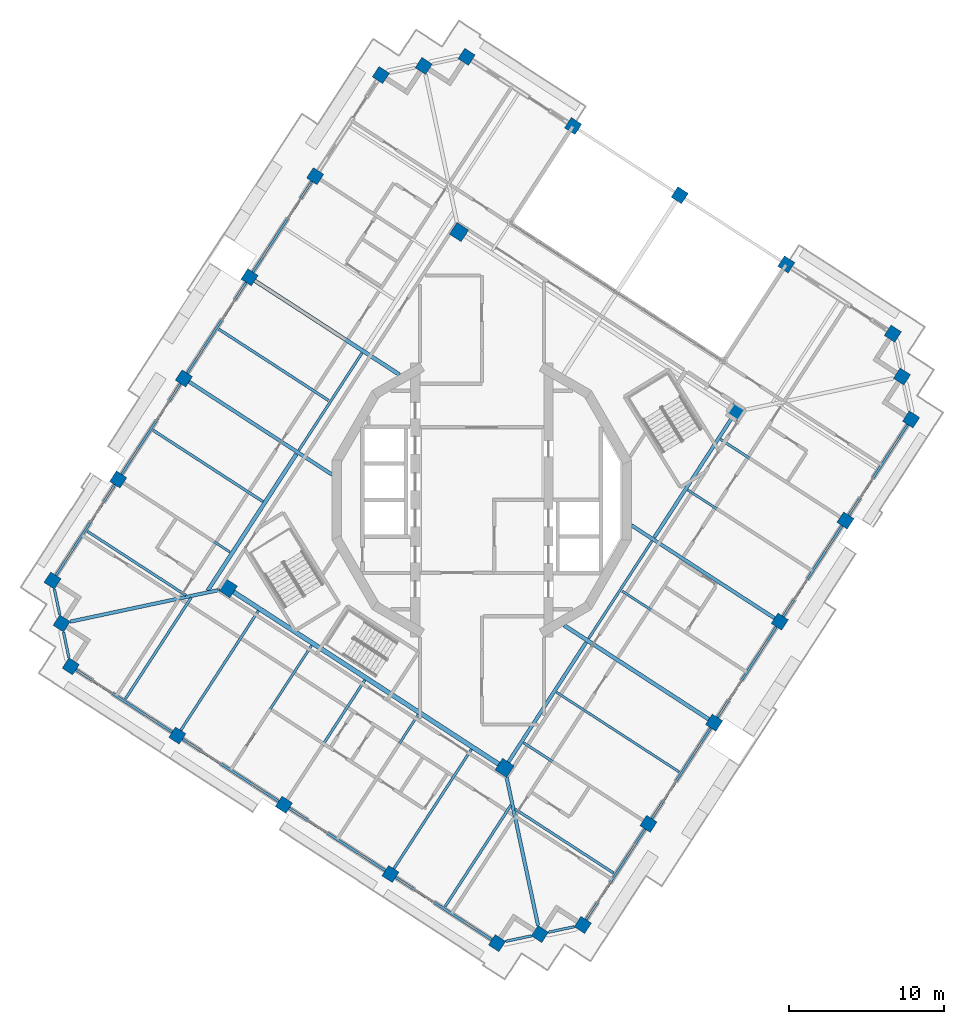
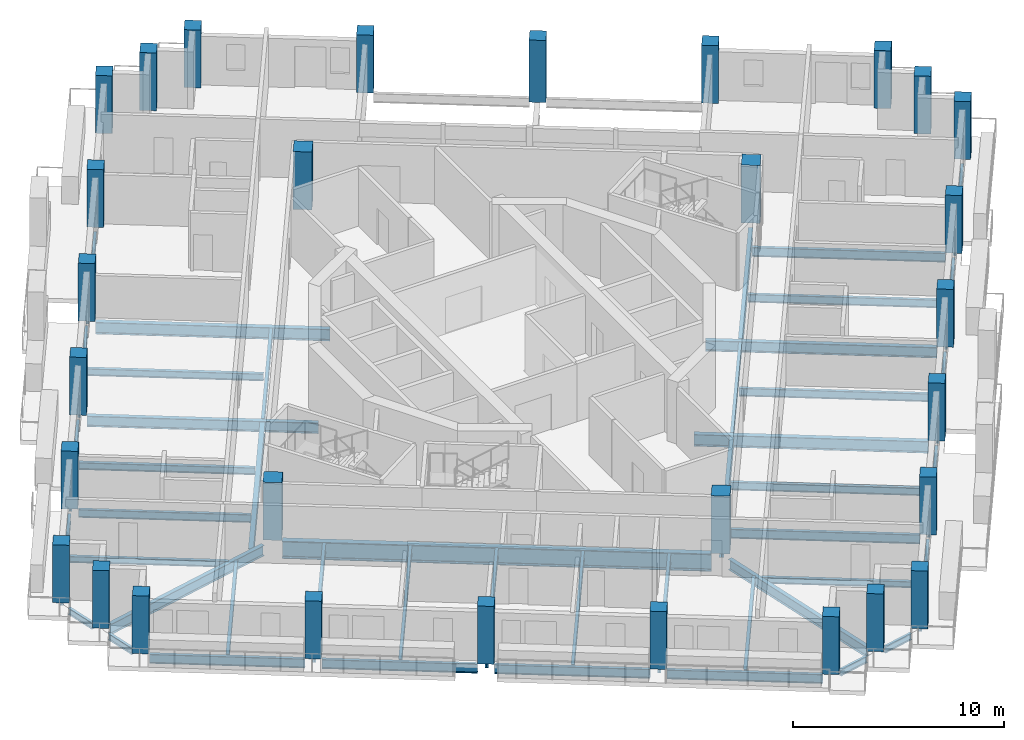
# One storey, part 1 of 17: 46 beams, 30 columns.
"""IFC4 building model written with IfcOpenShell, lengths in metres."""

from ifc_helpers import new_model, si_unit, direction, frame, origin, origin_2d, place, context, subcontext, project, spatial, rectangle, i_section, extrude, material, material_profile, profile_set, type_object, element, save


model = new_model("IFC4")

# Units and contexts
model_context = context("Model", 3, precision=1e-05, world=origin(), true_north=direction((0.0, 1.0)))
body_context = subcontext(model_context, "Body", "Model", "MODEL_VIEW")
ifc_project = project(units=[si_unit("LENGTHUNIT", "METRE"), si_unit("AREAUNIT", "SQUARE_METRE"), si_unit("VOLUMEUNIT", "CUBIC_METRE"), si_unit("PLANEANGLEUNIT", "RADIAN"), si_unit("MASSUNIT", "GRAM", prefix="KILO")], contexts=[model_context])

# Site, building, storey
site_placement = place(None, origin())
site = spatial("IfcSite", under=ifc_project, at=site_placement, CompositionType="ELEMENT")
building_placement = place(site_placement, origin())
building = spatial("IfcBuilding", under=site, at=building_placement, Name="Cantera Rosa Tower", CompositionType="ELEMENT")
storey_placement = place(building_placement, frame((0.0, 0.0, 279.300048828125)))
storey = spatial("IfcBuildingStorey", under=building, at=storey_placement, Name="L63", CompositionType="ELEMENT", Elevation=279.300048828125)

# Columns
ifc_material_1 = material(Name="Concrete C50/60", Category="concrete")
ifc_material_profile_1 = material_profile(ifc_material_1, rectangle(XDim=0.800048828125, YDim=0.800048828125, at=origin_2d()), Name="RC COLUMN RC800X800 C50/60")
ifc_profile_set_1 = profile_set([ifc_material_profile_1], Name="Concrete C50/60")
column_type_1 = type_object("IfcColumnType", Name="RC COLUMN RC800X800 C50/60", PredefinedType="COLUMN", material=ifc_profile_set_1)
for number, where, z_axis, x_axis, name in (
    (1, (26.52587890625, 10.73486328125, 0.0), (0.0, 0.0, 1.0), (0.544639035015, 0.838670567945, 0.0), "C-Z5-01 L63"),
    (2, (19.64892578125, 15.20068359375, 0.0), (0.0, 0.0, 1.0), (0.544639035015, 0.838670567945, 0.0), "C-Z5-02 L63"),
):
    element("IfcColumn", number, at=place(storey_placement, frame(where, z_axis=z_axis, x_axis=x_axis)), inside=storey, type_object=column_type_1, Name=name, PredefinedType="COLUMN", context=body_context, shape_type="SweptSolid", body=[
        extrude(rectangle(XDim=0.800048828125, YDim=0.800048828125, at=origin_2d()), origin(), (0.0, 0.0, 1.0), 3.349853515625),
    ])
column_placement = place(storey_placement, frame((12.771728515625, 19.666748046875, -0.25), z_axis=(0.0, 0.0, 1.0), x_axis=(0.544639035015, 0.838670567945, 0.0)))
element("IfcColumn", 3, at=column_placement, inside=storey, type_object=column_type_1, Name="C-Z5-03 L63", PredefinedType="COLUMN", context=body_context, shape_type="SweptSolid", body=[
    extrude(rectangle(XDim=0.800048828125, YDim=0.800048828125, at=origin_2d()), origin(), (0.0, 0.0, 1.0), 3.599853515625),
])
for number, where, z_axis, x_axis, name in (
    (4, (5.894775390625, 24.1328125, 0.0), (0.0, 0.0, 1.0), (0.544639035015, 0.838670567945, 0.0), "C-Z5-04 L63"),
    (5, (-0.982421875, 28.598876953125, 0.0), (0.0, 0.0, 1.0), (0.544639035015, 0.838670567945, 0.0), "C-Z5-05 L63"),
    (6, (-3.7490234375, 28.0107421875, 0.0), (0.0, 0.0, 1.0), (0.544639035015, 0.838670567945, 0.0), "C-Z5-06 L63"),
    (7, (-6.515625, 27.4228515625, 0.0), (0.0, 0.0, 1.0), (0.544639035015, 0.838670567945, 0.0), "C-Z5-07 L63"),
    (8, (-10.7529296875, 20.89794921875, 0.0), (0.0, 0.0, 1.0), (0.544639035015, 0.838670567945, 0.0), "C-Z5-08 L63"),
    (9, (-14.990234375, 14.373046875, 0.0), (0.0, 0.0, 1.0), (0.544639035015, 0.838670567945, 0.0), "C-Z5-09 L63"),
    (10, (-19.2275390625, 7.84814453125, 0.0), (0.0, 0.0, 1.0), (0.544639035015, 0.838670567945, 0.0), "C-Z5-10 L63"),
    (11, (-23.46484375, 1.3232421875, 0.0), (0.0, 0.0, 1.0), (0.544639035015, 0.838670567945, 0.0), "C-Z5-11 L63"),
    (12, (-27.7021484375, -5.201416015625, 0.0), (0.0, 0.0, 1.0), (0.544639035015, 0.838670567945, 0.0), "C-Z5-12 L63"),
    (13, (-27.114013671875, -7.968017578125, 0.0), (0.0, 0.0, 1.0), (0.544639035015, 0.838670567945, 0.0), "C-Z5-13 L63"),
    (14, (-26.52587890625, -10.73486328125, 0.0), (0.0, 0.0, 1.0), (0.544639035015, 0.838670567945, 0.0), "C-Z5-14 L63"),
    (15, (-19.64892578125, -15.20068359375, 0.0), (0.0, 0.0, 1.0), (0.544639035015, 0.838670567945, 0.0), "C-Z5-15 L63"),
    (16, (-12.771728515625, -19.666748046875, 0.0), (0.0, 0.0, 1.0), (0.544639035015, 0.838670567945, 0.0), "C-Z5-16 L63"),
    (17, (-5.894775390625, -24.1328125, 0.0), (0.0, 0.0, 1.0), (0.544639035015, 0.838670567945, 0.0), "C-Z5-17 L63"),
    (18, (0.982421875, -28.598876953125, 0.0), (0.0, 0.0, 1.0), (0.544639035015, 0.838670567945, 0.0), "C-Z5-18 L63"),
    (19, (3.7490234375, -28.0107421875, 0.0), (0.0, 0.0, 1.0), (0.544639035015, 0.838670567945, 0.0), "C-Z5-19 L63"),
    (20, (6.515625, -27.4228515625, 0.0), (0.0, 0.0, 1.0), (0.544639035015, 0.838670567945, 0.0), "C-Z5-20 L63"),
    (21, (10.7529296875, -20.89794921875, 0.0), (0.0, 0.0, 1.0), (0.544639035015, 0.838670567945, 0.0), "C-Z5-21 L63"),
    (22, (14.990234375, -14.373046875, 0.0), (0.0, 0.0, 1.0), (0.544639035015, 0.838670567945, 0.0), "C-Z5-22 L63"),
    (23, (19.2275390625, -7.84814453125, 0.0), (0.0, 0.0, 1.0), (0.544639035015, 0.838670567945, 0.0), "C-Z5-23 L63"),
    (24, (23.46484375, -1.3232421875, 0.0), (0.0, 0.0, 1.0), (0.544639035015, 0.838670567945, 0.0), "C-Z5-24 L63"),
    (25, (27.7021484375, 5.201416015625, 0.0), (0.0, 0.0, 1.0), (0.544639035015, 0.838670567945, 0.0), "C-Z5-25 L63"),
    (26, (27.114013671875, 7.968017578125, 0.0), (0.0, 0.0, 1.0), (0.544639035015, 0.838670567945, 0.0), "C-Z5-26 L63"),
):
    element("IfcColumn", number, at=place(storey_placement, frame(where, z_axis=z_axis, x_axis=x_axis)), inside=storey, type_object=column_type_1, Name=name, PredefinedType="COLUMN", context=body_context, shape_type="SweptSolid", body=[
        extrude(rectangle(XDim=0.800048828125, YDim=0.800048828125, at=origin_2d()), origin(), (0.0, 0.0, 1.0), 3.349853515625),
    ])
ifc_material_2 = material(Name="Concrete C50/60", Category="concrete")
ifc_material_profile_2 = material_profile(ifc_material_2, rectangle(XDim=0.89990234375, YDim=0.89990234375, at=origin_2d()), Name="RC RING COLUMN RC900X900 C50/60")
ifc_profile_set_2 = profile_set([ifc_material_profile_2], Name="Concrete C50/60")
column_type_2 = type_object("IfcColumnType", Name="RC RING COLUMN RC900X900 C50/60", PredefinedType="COLUMN", material=ifc_profile_set_2)
for number, where, z_axis, x_axis, name in (
    (27, (-1.47021484375, 17.290283203125, 0.0), (0.0, 0.0, 1.0), (0.544639035015, 0.838670567945, 0.0), "CI-Z5-1 L63"),
    (28, (-16.393310546875, -5.689453125, 0.0), (0.0, 0.0, 1.0), (0.544639035015, 0.838670567945, 0.0), "CI-Z5-2 L63"),
    (29, (1.47021484375, -17.290283203125, 0.0), (0.0, 0.0, 1.0), (0.544639035015, 0.838670567945, 0.0), "CI-Z5-3 L63"),
    (30, (16.393310546875, 5.689453125, 0.0), (0.0, 0.0, 1.0), (0.544639035015, 0.838670567945, 0.0), "CI-Z5-4 L63"),
):
    element("IfcColumn", number, at=place(storey_placement, frame(where, z_axis=z_axis, x_axis=x_axis)), inside=storey, type_object=column_type_2, Name=name, PredefinedType="COLUMN", context=body_context, shape_type="SweptSolid", body=[
        extrude(rectangle(XDim=0.89990234375, YDim=0.89990234375, at=origin_2d()), origin(), (0.0, 0.0, 1.0), 3.349853515625),
    ])

# Beams
ifc_material_3 = material(Name="Steel ASTM A992 (Fy 345 MPa)", Category="steel")
ifc_material_profile_3 = material_profile(ifc_material_3, i_section(OverallWidth=0.302001953125, OverallDepth=1.010009765625, WebThickness=0.02099609375, FlangeThickness=0.0400390625, FilletRadius=0.030029296875, at=origin_2d()), Name="W1000X350")
ifc_profile_set_3 = profile_set([ifc_material_profile_3], Name="Steel ASTM A992 (Fy 345 MPa)")
beam_type_1 = type_object("IfcBeamType", Name="STEEL BEAM W1000X350", PredefinedType="BEAM", material=ifc_profile_set_3)
beam_1_placement = place(storey_placement, frame((1.0927734375, -17.045166015625, -0.755126953125), z_axis=(-0.838671580977, 0.54463747508, 0.0), x_axis=(-0.54463747508, -0.838671580977, 0.0)))
element("IfcBeam", 31, at=beam_1_placement, inside=storey, type_object=beam_type_1, Name="RB-Z5-09 L63", PredefinedType="BEAM", context=body_context, shape_type="SweptSolid", body=[
    extrude(i_section(OverallWidth=0.302001953125, OverallDepth=1.010009765625, WebThickness=0.02099609375, FlangeThickness=0.0400390625, FilletRadius=0.030029296875, at=origin_2d()), origin(), (0.0, 0.0, 1.0), 20.39990234375),
])
ifc_material_4 = material(Name="Steel ASTM A992 (Fy 345 MPa)", Category="steel")
ifc_material_profile_4 = material_profile(ifc_material_4, i_section(OverallWidth=0.154052734375, OverallDepth=0.4599609375, WebThickness=0.009033203125, FlangeThickness=0.015380859375, FilletRadius=0.01025390625, at=origin_2d()), Name="W460X68")
ifc_profile_set_4 = profile_set([ifc_material_profile_4], Name="Steel ASTM A992 (Fy 345 MPa)")
beam_type_2 = type_object("IfcBeamType", Name="STEEL BEAM W460X68", PredefinedType="BEAM", material=ifc_profile_set_4)
beam_2_placement = place(storey_placement, frame((-23.12939453125, 1.10546875, -0.47998046875), z_axis=(0.838672777751, -0.544635632198, 0.0), x_axis=(0.544635632198, 0.838672777751, 0.0)))
element("IfcBeam", 32, at=beam_2_placement, inside=storey, type_object=beam_type_2, Name="G-Z5-07 L63", PredefinedType="BEAM", context=body_context, shape_type="SweptSolid", body=[
    extrude(i_section(OverallWidth=0.154052734375, OverallDepth=0.4599609375, WebThickness=0.009033203125, FlangeThickness=0.015380859375, FilletRadius=0.01025390625, at=origin_2d()), origin(), (0.0, 0.0, 1.0), 8.2001953125),
])
ifc_material_5 = material(Name="Steel ASTM A992 (Fy 345 MPa)", Category="steel")
ifc_material_profile_5 = material_profile(ifc_material_5, i_section(OverallWidth=0.166015625, OverallDepth=0.528076171875, WebThickness=0.009765625, FlangeThickness=0.013671875, FilletRadius=0.0126953125, at=origin_2d()), Name="W530X74")
ifc_profile_set_5 = profile_set([ifc_material_profile_5], Name="Steel ASTM A992 (Fy 345 MPa)")
beam_type_3 = type_object("IfcBeamType", Name="STEEL BEAM W530X74", PredefinedType="BEAM", material=ifc_profile_set_5)
for number, where, z_axis, x_axis, name in (
    (33, (10.41748046875, -20.68017578125, -0.51416015625), (-0.838669083999, 0.544641320086, 0.0), (-0.544641320086, -0.838669083999, 0.0), "G-Z5-08 L63"),
    (34, (23.12939453125, -1.10546875, -0.51416015625), (-0.838669083999, 0.544641320086, 0.0), (-0.544641320086, -0.838669083999, 0.0), "G-Z5-11 L63"),
):
    element("IfcBeam", number, at=place(storey_placement, frame(where, z_axis=z_axis, x_axis=x_axis)), inside=storey, type_object=beam_type_3, Name=name, PredefinedType="BEAM", context=body_context, shape_type="SweptSolid", body=[
        extrude(i_section(OverallWidth=0.166015625, OverallDepth=0.528076171875, WebThickness=0.009765625, FlangeThickness=0.013671875, FilletRadius=0.0126953125, at=origin_2d()), origin(), (0.0, 0.0, 1.0), 9.2001953125),
    ])
beam_3_placement = place(storey_placement, frame((-19.430908203125, -14.865234375, -0.51416015625), z_axis=(0.544634776066, 0.838673333724, 0.0), x_axis=(-0.838673333724, 0.544634776066, 0.0)))
element("IfcBeam", 35, at=beam_3_placement, inside=storey, type_object=beam_type_3, Name="G-Z5-12 L63", PredefinedType="BEAM", context=body_context, shape_type="SweptSolid", body=[
    extrude(i_section(OverallWidth=0.166015625, OverallDepth=0.528076171875, WebThickness=0.009765625, FlangeThickness=0.013671875, FilletRadius=0.0126953125, at=origin_2d()), origin(), (0.0, 0.0, 1.0), 9.19970703125),
])
beam_4_placement = place(storey_placement, frame((-12.553955078125, -19.331298828125, -0.51416015625), z_axis=(0.544641320086, 0.838669083999, 0.0), x_axis=(-0.838669083999, 0.544641320086, 0.0)))
element("IfcBeam", 36, at=beam_4_placement, inside=storey, type_object=beam_type_3, Name="G-Z5-13 L63", PredefinedType="BEAM", context=body_context, shape_type="SweptSolid", body=[
    extrude(i_section(OverallWidth=0.166015625, OverallDepth=0.528076171875, WebThickness=0.009765625, FlangeThickness=0.013671875, FilletRadius=0.0126953125, at=origin_2d()), origin(), (0.0, 0.0, 1.0), 9.2001953125),
])
beam_5_placement = place(storey_placement, frame((-5.6767578125, -23.79736328125, -0.51416015625), z_axis=(0.544622654601, 0.838681205283, 0.0), x_axis=(-0.838681205283, 0.544622654601, 0.0)))
element("IfcBeam", 37, at=beam_5_placement, inside=storey, type_object=beam_type_3, Name="G-Z5-14 L63", PredefinedType="BEAM", context=body_context, shape_type="SweptSolid", body=[
    extrude(i_section(OverallWidth=0.166015625, OverallDepth=0.528076171875, WebThickness=0.009765625, FlangeThickness=0.013671875, FilletRadius=0.0126953125, at=origin_2d()), origin(), (0.0, 0.0, 1.0), 9.199951171875),
])
beam_6_placement = place(storey_placement, frame((-11.807373046875, 3.20849609375, -0.51416015625), z_axis=(0.544626910795, 0.838678441381, 0.0), x_axis=(-0.838678441381, 0.544626910795, 0.0)))
element("IfcBeam", 38, at=beam_6_placement, inside=storey, type_object=beam_type_3, Name="RB-Z5-02 L63", PredefinedType="BEAM", context=body_context, shape_type="SweptSolid", body=[
    extrude(i_section(OverallWidth=0.166015625, OverallDepth=0.528076171875, WebThickness=0.009765625, FlangeThickness=0.013671875, FilletRadius=0.0126953125, at=origin_2d()), origin(), (0.0, 0.0, 1.0), 7.479736328125),
])
beam_7_placement = place(storey_placement, frame((6.894775390625, -8.93701171875, -0.51416015625), z_axis=(0.544649868382, 0.838663532575, 0.0), x_axis=(-0.838663532575, 0.544649868382, 0.0)))
element("IfcBeam", 39, at=beam_7_placement, inside=storey, type_object=beam_type_3, Name="RB-Z5-05 L63", PredefinedType="BEAM", context=body_context, shape_type="SweptSolid", body=[
    extrude(i_section(OverallWidth=0.166015625, OverallDepth=0.528076171875, WebThickness=0.009765625, FlangeThickness=0.013671875, FilletRadius=0.0126953125, at=origin_2d()), origin(), (0.0, 0.0, 1.0), 7.47998046875),
])
ifc_material_6 = material(Name="Steel ASTM A992 (Fy 345 MPa)", Category="steel")
ifc_material_profile_6 = material_profile(ifc_material_6, i_section(OverallWidth=0.22802734375, OverallDepth=0.60205078125, WebThickness=0.010498046875, FlangeThickness=0.014892578125, FilletRadius=0.0126953125, at=origin_2d()), Name="W610X101")
ifc_profile_set_6 = profile_set([ifc_material_profile_6], Name="Steel ASTM A992 (Fy 345 MPa)")
beam_type_4 = type_object("IfcBeamType", Name="STEEL BEAM W610X101", PredefinedType="BEAM", material=ifc_profile_set_6)
for number, where, z_axis, x_axis, name in (
    (40, (-26.560791015625, -7.8505859375, -0.551025390625), (0.978148167214, 0.20790902572, 0.0), (-0.20790902572, 0.978148167214, 0.0), "CB-Z5-02 L63"),
    (41, (3.63134765625, -27.45751953125, -0.551025390625), (-0.20790902572, 0.978148167214, 0.0), (-0.978148167214, -0.20790902572, 0.0), "CB-Z5-03 L63"),
):
    element("IfcBeam", number, at=place(storey_placement, frame(where, z_axis=z_axis, x_axis=x_axis)), inside=storey, type_object=beam_type_4, Name=name, PredefinedType="BEAM", context=body_context, shape_type="SweptSolid", body=[
        extrude(i_section(OverallWidth=0.22802734375, OverallDepth=0.60205078125, WebThickness=0.010498046875, FlangeThickness=0.014892578125, FilletRadius=0.0126953125, at=origin_2d()), origin(), (0.0, 0.0, 1.0), 9.758056640625),
    ])
for number, where, z_axis, x_axis, name in (
    (42, (1.71533203125, -16.912841796875, -0.551025390625), (0.54463982867, 0.838670052539, 0.0), (-0.838670052539, 0.54463982867, 0.0), "RB-Z5-04 L63"),
    (43, (11.132080078125, -2.412109375, -0.551025390625), (0.54463982867, 0.838670052539, 0.0), (-0.838670052539, 0.54463982867, 0.0), "RB-Z5-06 L63"),
):
    element("IfcBeam", number, at=place(storey_placement, frame(where, z_axis=z_axis, x_axis=x_axis)), inside=storey, type_object=beam_type_4, Name=name, PredefinedType="BEAM", context=body_context, shape_type="SweptSolid", body=[
        extrude(i_section(OverallWidth=0.22802734375, OverallDepth=0.60205078125, WebThickness=0.010498046875, FlangeThickness=0.014892578125, FilletRadius=0.0126953125, at=origin_2d()), origin(), (0.0, 0.0, 1.0), 9.2099609375),
    ])
ifc_material_7 = material(Name="Steel ASTM A992 (Fy 345 MPa)", Category="steel")
ifc_material_profile_7 = material_profile(ifc_material_7, i_section(OverallWidth=0.22900390625, OverallDepth=0.612060546875, WebThickness=0.011962890625, FlangeThickness=0.01953125, FilletRadius=0.0126953125, at=origin_2d()), Name="W610X125")
ifc_profile_set_7 = profile_set([ifc_material_profile_7], Name="Steel ASTM A992 (Fy 345 MPa)")
beam_type_5 = type_object("IfcBeamType", Name="STEEL BEAM W610X125", PredefinedType="BEAM", material=ifc_profile_set_7)
for number, where, z_axis, x_axis, name in (
    (44, (-18.89208984375, 7.63037109375, -0.55615234375), (0.838673569952, -0.544634412302, 0.0), (0.544634412302, 0.838673569952, 0.0), "G-Z5-06 L63"),
    (45, (18.89208984375, -7.63037109375, -0.55615234375), (-0.838673569952, 0.544634412302, 0.0), (-0.544634412302, -0.838673569952, 0.0), "G-Z5-10 L63"),
):
    element("IfcBeam", number, at=place(storey_placement, frame(where, z_axis=z_axis, x_axis=x_axis)), inside=storey, type_object=beam_type_5, Name=name, PredefinedType="BEAM", context=body_context, shape_type="SweptSolid", body=[
        extrude(i_section(OverallWidth=0.22900390625, OverallDepth=0.612060546875, WebThickness=0.011962890625, FlangeThickness=0.01953125, FilletRadius=0.0126953125, at=origin_2d()), origin(), (0.0, 0.0, 1.0), 11.009033203125),
    ])
ifc_material_8 = material(Name="Steel ASTM A992 (Fy 345 MPa)", Category="steel")
ifc_material_profile_8 = material_profile(ifc_material_8, i_section(OverallWidth=0.25390625, OverallDepth=0.677978515625, WebThickness=0.01171875, FlangeThickness=0.016357421875, FilletRadius=0.01513671875, at=origin_2d()), Name="W690X125")
ifc_profile_set_8 = profile_set([ifc_material_profile_8], Name="Steel ASTM A992 (Fy 345 MPa)")
beam_type_6 = type_object("IfcBeamType", Name="STEEL BEAM W690X125", PredefinedType="BEAM", material=ifc_profile_set_8)
for number, where, z_axis, x_axis, name in (
    (46, (-14.65478515625, 14.1552734375, -0.589111328125), (0.838661833747, -0.544652484265, 0.0), (0.544652484265, 0.838661833747, 0.0), "G-Z5-05 L63"),
    (47, (14.65478515625, -14.1552734375, -0.589111328125), (-0.838661833747, 0.544652484265, 0.0), (-0.544652484265, -0.838661833747, 0.0), "G-Z5-09 L63"),
):
    element("IfcBeam", number, at=place(storey_placement, frame(where, z_axis=z_axis, x_axis=x_axis)), inside=storey, type_object=beam_type_6, Name=name, PredefinedType="BEAM", context=body_context, shape_type="SweptSolid", body=[
        extrude(i_section(OverallWidth=0.25390625, OverallDepth=0.677978515625, WebThickness=0.01171875, FlangeThickness=0.016357421875, FilletRadius=0.01513671875, at=origin_2d()), origin(), (0.0, 0.0, 1.0), 11.141357421875),
    ])
beam_8_placement = place(storey_placement, frame((-17.695068359375, -5.857666015625, -0.589111328125), z_axis=(0.544635575355, 0.838672814665, 0.0), x_axis=(-0.838672814665, 0.544635575355, 0.0)))
element("IfcBeam", 48, at=beam_8_placement, inside=storey, type_object=beam_type_6, Name="RB-Z5-01 L63", PredefinedType="BEAM", context=body_context, shape_type="SweptSolid", body=[
    extrude(i_section(OverallWidth=0.25390625, OverallDepth=0.677978515625, WebThickness=0.01171875, FlangeThickness=0.016357421875, FilletRadius=0.01513671875, at=origin_2d()), origin(), (0.0, 0.0, 1.0), 10.510009765625),
])
ifc_material_9 = material(Name="Steel ASTM A992 (Fy 345 MPa)", Category="steel")
ifc_material_profile_9 = material_profile(ifc_material_9, i_section(OverallWidth=0.1708984375, OverallDepth=0.35595703125, WebThickness=0.00732421875, FlangeThickness=0.01171875, FilletRadius=0.010009765625, at=origin_2d()), Name="W360X51")
ifc_profile_set_9 = profile_set([ifc_material_profile_9], Name="Steel ASTM A992 (Fy 345 MPa)")
beam_type_7 = type_object("IfcBeamType", Name="STEEL JOIST W360X51", PredefinedType="JOIST", material=ifc_profile_set_9)
beam_9_placement = place(storey_placement, frame((-25.457763671875, -2.020751953125, -0.427978515625), z_axis=(0.838680170462, -0.54462424815, 0.0), x_axis=(0.54462424815, 0.838680170462, 0.0)))
element("IfcBeam", 49, at=beam_9_placement, inside=storey, type_object=beam_type_7, Name="B-Z5-09 L63", PredefinedType="JOIST", context=body_context, shape_type="SweptSolid", body=[
    extrude(i_section(OverallWidth=0.1708984375, OverallDepth=0.35595703125, WebThickness=0.00732421875, FlangeThickness=0.01171875, FilletRadius=0.010009765625, at=origin_2d()), origin(), (0.0, 0.0, 1.0), 7.590087890625),
])
beam_10_placement = place(storey_placement, frame((8.508544921875, -24.07861328125, -0.427978515625), z_axis=(-0.838670629323, 0.544638940502, 0.0), x_axis=(-0.544638940502, -0.838670629323, 0.0)))
element("IfcBeam", 50, at=beam_10_placement, inside=storey, type_object=beam_type_7, Name="B-Z5-10 L63", PredefinedType="JOIST", context=body_context, shape_type="SweptSolid", body=[
    extrude(i_section(OverallWidth=0.1708984375, OverallDepth=0.35595703125, WebThickness=0.00732421875, FlangeThickness=0.01171875, FilletRadius=0.010009765625, at=origin_2d()), origin(), (0.0, 0.0, 1.0), 7.58984375),
])
for number, where, z_axis, x_axis, name in (
    (51, (-23.005859375, -12.842041015625, -0.427978515625), (0.544641754757, 0.838668801718, 0.0), (-0.838668801718, 0.544641754757, 0.0), "B-Z5-15 L63"),
    (52, (-2.37451171875, -26.239990234375, -0.427978515625), (0.54465605183, 0.838659516851, 0.0), (-0.838659516851, 0.54465605183, 0.0), "B-Z5-18 L63"),
):
    element("IfcBeam", number, at=place(storey_placement, frame(where, z_axis=z_axis, x_axis=x_axis)), inside=storey, type_object=beam_type_7, Name=name, PredefinedType="JOIST", context=body_context, shape_type="SweptSolid", body=[
        extrude(i_section(OverallWidth=0.1708984375, OverallDepth=0.35595703125, WebThickness=0.00732421875, FlangeThickness=0.01171875, FilletRadius=0.010009765625, at=origin_2d()), origin(), (0.0, 0.0, 1.0), 7.800048828125),
    ])
ifc_material_10 = material(Name="Steel ASTM A992 (Fy 345 MPa)", Category="steel")
ifc_material_profile_10 = material_profile(ifc_material_10, i_section(OverallWidth=0.177978515625, OverallDepth=0.406005859375, WebThickness=0.0078125, FlangeThickness=0.0126953125, FilletRadius=0.01025390625, at=origin_2d()), Name="W410X60")
ifc_profile_set_10 = profile_set([ifc_material_profile_10], Name="Steel ASTM A992 (Fy 345 MPa)")
beam_type_8 = type_object("IfcBeamType", Name="STEEL JOIST W410X60", PredefinedType="JOIST", material=ifc_profile_set_10)
for number, where, z_axis, x_axis, name in (
    (53, (-16.983154296875, 11.029052734375, -0.453125), (0.838670615657, -0.544638961546, 0.0), (0.544638961546, 0.838670615657, 0.0), "B-Z5-07 L63"),
    (54, (-21.220458984375, 4.504150390625, -0.453125), (0.838670615657, -0.544638961546, 0.0), (0.544638961546, 0.838670615657, 0.0), "B-Z5-08 L63"),
):
    element("IfcBeam", number, at=place(storey_placement, frame(where, z_axis=z_axis, x_axis=x_axis)), inside=storey, type_object=beam_type_8, Name=name, PredefinedType="JOIST", context=body_context, shape_type="SweptSolid", body=[
        extrude(i_section(OverallWidth=0.177978515625, OverallDepth=0.406005859375, WebThickness=0.0078125, FlangeThickness=0.0126953125, FilletRadius=0.01025390625, at=origin_2d()), origin(), (0.0, 0.0, 1.0), 8.4501953125),
    ])
ifc_material_11 = material(Name="Steel ASTM A992 (Fy 345 MPa)", Category="steel")
ifc_material_profile_11 = material_profile(ifc_material_11, i_section(OverallWidth=0.154052734375, OverallDepth=0.4599609375, WebThickness=0.009033203125, FlangeThickness=0.015380859375, FilletRadius=0.01025390625, at=origin_2d()), Name="W460X68")
ifc_profile_set_11 = profile_set([ifc_material_profile_11], Name="Steel ASTM A992 (Fy 345 MPa)")
beam_type_9 = type_object("IfcBeamType", Name="STEEL JOIST W460X68", PredefinedType="JOIST", material=ifc_profile_set_11)
beam_11_placement = place(storey_placement, frame((12.745849609375, -17.5537109375, -0.47998046875), z_axis=(-0.838679048974, 0.544625975154, 0.0), x_axis=(-0.544625975154, -0.838679048974, 0.0)))
element("IfcBeam", 55, at=beam_11_placement, inside=storey, type_object=beam_type_9, Name="B-Z5-11 L63", PredefinedType="JOIST", context=body_context, shape_type="SweptSolid", body=[
    extrude(i_section(OverallWidth=0.154052734375, OverallDepth=0.4599609375, WebThickness=0.009033203125, FlangeThickness=0.015380859375, FilletRadius=0.01025390625, at=origin_2d()), origin(), (0.0, 0.0, 1.0), 9.449951171875),
])
for number, where, z_axis, x_axis, name in (
    (56, (16.983154296875, -11.029052734375, -0.47998046875), (-0.838667248419, 0.544644146603, 0.0), (-0.544644146603, -0.838667248419, 0.0), "B-Z5-12 L63"),
    (57, (21.220458984375, -4.504150390625, -0.47998046875), (-0.838667248419, 0.544644146603, 0.0), (-0.544644146603, -0.838667248419, 0.0), "B-Z5-13 L63"),
    (58, (-16.128662109375, -17.30810546875, -0.47998046875), (0.544644146603, 0.838667248419, 0.0), (-0.838667248419, 0.544644146603, 0.0), "B-Z5-16 L63"),
):
    element("IfcBeam", number, at=place(storey_placement, frame(where, z_axis=z_axis, x_axis=x_axis)), inside=storey, type_object=beam_type_9, Name=name, PredefinedType="JOIST", context=body_context, shape_type="SweptSolid", body=[
        extrude(i_section(OverallWidth=0.154052734375, OverallDepth=0.4599609375, WebThickness=0.009033203125, FlangeThickness=0.015380859375, FilletRadius=0.01025390625, at=origin_2d()), origin(), (0.0, 0.0, 1.0), 9.4501953125),
    ])
beam_12_placement = place(storey_placement, frame((-9.25146484375, -21.77392578125, -0.47998046875), z_axis=(0.544637775879, 0.838671385636, 0.0), x_axis=(-0.838671385636, 0.544637775879, 0.0)))
element("IfcBeam", 59, at=beam_12_placement, inside=storey, type_object=beam_type_9, Name="B-Z5-17 L63", PredefinedType="JOIST", context=body_context, shape_type="SweptSolid", body=[
    extrude(i_section(OverallWidth=0.154052734375, OverallDepth=0.4599609375, WebThickness=0.009033203125, FlangeThickness=0.015380859375, FilletRadius=0.01025390625, at=origin_2d()), origin(), (0.0, 0.0, 1.0), 9.44970703125),
])
ifc_material_12 = material(Name="Steel ASTM A992 (Fy 345 MPa)", Category="steel")
ifc_material_profile_12 = material_profile(ifc_material_12, i_section(OverallWidth=0.1708984375, OverallDepth=0.35595703125, WebThickness=0.00732421875, FlangeThickness=0.01171875, FilletRadius=0.010009765625, at=origin_2d()), Name="W360X51")
ifc_profile_set_12 = profile_set([ifc_material_profile_12], Name="Steel ASTM A992 (Fy 345 MPa)")
beam_type_10 = type_object("IfcBeamType", Name="STEEL SPANDREL BEAM W360X51", PredefinedType="SPANDREL", material=ifc_profile_set_12)
for number, where, z_axis, x_axis, name in (
    (60, (-27.58447265625, -5.7548828125, -0.427978515625), (0.207888006632, -0.978152634663, 0.0), (0.978152634663, 0.207888006632, 0.0), "EB-Z5-12 L63"),
    (61, (-26.996337890625, -8.521484375, -0.427978515625), (0.207888006632, -0.978152634663, 0.0), (0.978152634663, 0.207888006632, 0.0), "EB-Z5-13 L63"),
):
    element("IfcBeam", number, at=place(storey_placement, frame(where, z_axis=z_axis, x_axis=x_axis)), inside=storey, type_object=beam_type_10, Name=name, PredefinedType="SPANDREL", context=body_context, shape_type="SweptSolid", body=[
        extrude(i_section(OverallWidth=0.1708984375, OverallDepth=0.35595703125, WebThickness=0.00732421875, FlangeThickness=0.01171875, FilletRadius=0.010009765625, at=origin_2d()), origin(), (0.0, 0.0, 1.0), 1.697021484375),
    ])
for number, where, z_axis, x_axis, name in (
    (62, (1.53564453125, -28.481201171875, -0.427978515625), (0.978158850918, 0.20785875582, 0.0), (-0.20785875582, 0.978158850918, 0.0), "EB-Z5-18 L63"),
    (63, (4.30224609375, -27.893310546875, -0.427978515625), (0.978129595322, 0.207996381593, 0.0), (-0.207996381593, 0.978129595322, 0.0), "EB-Z5-19 L63"),
):
    element("IfcBeam", number, at=place(storey_placement, frame(where, z_axis=z_axis, x_axis=x_axis)), inside=storey, type_object=beam_type_10, Name=name, PredefinedType="SPANDREL", context=body_context, shape_type="SweptSolid", body=[
        extrude(i_section(OverallWidth=0.1708984375, OverallDepth=0.35595703125, WebThickness=0.00732421875, FlangeThickness=0.01171875, FilletRadius=0.010009765625, at=origin_2d()), origin(), (0.0, 0.0, 1.0), 1.697265625),
    ])
ifc_material_13 = material(Name="Steel ASTM A992 (Fy 345 MPa)", Category="steel")
ifc_material_profile_13 = material_profile(ifc_material_13, i_section(OverallWidth=0.154052734375, OverallDepth=0.4599609375, WebThickness=0.009033203125, FlangeThickness=0.015380859375, FilletRadius=0.01025390625, at=origin_2d()), Name="W460X68")
ifc_profile_set_13 = profile_set([ifc_material_profile_13], Name="Steel ASTM A992 (Fy 345 MPa)")
beam_type_11 = type_object("IfcBeamType", Name="STEEL SPANDREL BEAM W460X68", PredefinedType="SPANDREL", material=ifc_profile_set_13)
for number, where, z_axis, x_axis, name in (
    (64, (-10.970703125, 20.5625, -0.47998046875), (-0.544651451949, -0.838662504164, 0.0), (0.838662504164, -0.544651451949, 0.0), "EB-Z5-08 L63"),
    (65, (-15.2080078125, 14.03759765625, -0.47998046875), (-0.544651451949, -0.838662504164, 0.0), (0.838662504164, -0.544651451949, 0.0), "EB-Z5-09 L63"),
):
    element("IfcBeam", number, at=place(storey_placement, frame(where, z_axis=z_axis, x_axis=x_axis)), inside=storey, type_object=beam_type_11, Name=name, PredefinedType="SPANDREL", context=body_context, shape_type="SweptSolid", body=[
        extrude(i_section(OverallWidth=0.154052734375, OverallDepth=0.4599609375, WebThickness=0.009033203125, FlangeThickness=0.015380859375, FilletRadius=0.01025390625, at=origin_2d()), origin(), (0.0, 0.0, 1.0), 6.980224609375),
    ])
for number, where, z_axis, x_axis, name in (
    (66, (-19.4453125, 7.5126953125, -0.47998046875), (-0.544667428764, -0.838652128146, 0.0), (0.838652128146, -0.544667428764, 0.0), "EB-Z5-10 L63"),
    (67, (-23.6826171875, 0.98779296875, -0.47998046875), (-0.544667428764, -0.838652128146, 0.0), (0.838652128146, -0.544667428764, 0.0), "EB-Z5-11 L63"),
):
    element("IfcBeam", number, at=place(storey_placement, frame(where, z_axis=z_axis, x_axis=x_axis)), inside=storey, type_object=beam_type_11, Name=name, PredefinedType="SPANDREL", context=body_context, shape_type="SweptSolid", body=[
        extrude(i_section(OverallWidth=0.154052734375, OverallDepth=0.4599609375, WebThickness=0.009033203125, FlangeThickness=0.015380859375, FilletRadius=0.01025390625, at=origin_2d()), origin(), (0.0, 0.0, 1.0), 6.97998046875),
    ])
for number, where, z_axis, x_axis, name in (
    (68, (6.7333984375, -27.08740234375, -0.47998046875), (0.544651451949, 0.838662504164, 0.0), (-0.838662504164, 0.544651451949, 0.0), "EB-Z5-20 L63"),
    (69, (10.970703125, -20.5625, -0.47998046875), (0.544651451949, 0.838662504164, 0.0), (-0.838662504164, 0.544651451949, 0.0), "EB-Z5-21 L63"),
    (70, (15.2080078125, -14.03759765625, -0.47998046875), (0.544651451949, 0.838662504164, 0.0), (-0.838662504164, 0.544651451949, 0.0), "EB-Z5-22 L63"),
):
    element("IfcBeam", number, at=place(storey_placement, frame(where, z_axis=z_axis, x_axis=x_axis)), inside=storey, type_object=beam_type_11, Name=name, PredefinedType="SPANDREL", context=body_context, shape_type="SweptSolid", body=[
        extrude(i_section(OverallWidth=0.154052734375, OverallDepth=0.4599609375, WebThickness=0.009033203125, FlangeThickness=0.015380859375, FilletRadius=0.01025390625, at=origin_2d()), origin(), (0.0, 0.0, 1.0), 6.980224609375),
    ])
for number, where, z_axis, x_axis, name in (
    (71, (19.4453125, -7.5126953125, -0.47998046875), (0.544667428764, 0.838652128146, 0.0), (-0.838652128146, 0.544667428764, 0.0), "EB-Z5-23 L63"),
    (72, (23.6826171875, -0.98779296875, -0.47998046875), (0.544667428764, 0.838652128146, 0.0), (-0.838652128146, 0.544667428764, 0.0), "EB-Z5-24 L63"),
):
    element("IfcBeam", number, at=place(storey_placement, frame(where, z_axis=z_axis, x_axis=x_axis)), inside=storey, type_object=beam_type_11, Name=name, PredefinedType="SPANDREL", context=body_context, shape_type="SweptSolid", body=[
        extrude(i_section(OverallWidth=0.154052734375, OverallDepth=0.4599609375, WebThickness=0.009033203125, FlangeThickness=0.015380859375, FilletRadius=0.01025390625, at=origin_2d()), origin(), (0.0, 0.0, 1.0), 6.97998046875),
    ])
ifc_material_14 = material(Name="Steel ASTM A992 (Fy 345 MPa)", Category="steel")
ifc_material_profile_14 = material_profile(ifc_material_14, i_section(OverallWidth=0.166015625, OverallDepth=0.528076171875, WebThickness=0.009765625, FlangeThickness=0.013671875, FilletRadius=0.0126953125, at=origin_2d()), Name="W530X74")
ifc_profile_set_14 = profile_set([ifc_material_profile_14], Name="Steel ASTM A992 (Fy 345 MPa)")
beam_type_12 = type_object("IfcBeamType", Name="STEEL SPANDREL BEAM W530X74", PredefinedType="SPANDREL", material=ifc_profile_set_14)
beam_13_placement = place(storey_placement, frame((-26.1904296875, -10.95263671875, -0.51416015625), z_axis=(0.838669679097, -0.544640403719, 0.0), x_axis=(0.544640403719, 0.838669679097, 0.0)))
element("IfcBeam", 73, at=beam_13_placement, inside=storey, type_object=beam_type_12, Name="EB-Z5-14 L63", PredefinedType="SPANDREL", context=body_context, shape_type="SweptSolid", body=[
    extrude(i_section(OverallWidth=0.166015625, OverallDepth=0.528076171875, WebThickness=0.009765625, FlangeThickness=0.013671875, FilletRadius=0.0126953125, at=origin_2d()), origin(), (0.0, 0.0, 1.0), 7.39990234375),
])
beam_14_placement = place(storey_placement, frame((-19.3134765625, -15.418701171875, -0.51416015625), z_axis=(0.838679465365, -0.544625333946, 0.0), x_axis=(0.544625333946, 0.838679465365, 0.0)))
element("IfcBeam", 74, at=beam_14_placement, inside=storey, type_object=beam_type_12, Name="EB-Z5-15 L63", PredefinedType="SPANDREL", context=body_context, shape_type="SweptSolid", body=[
    extrude(i_section(OverallWidth=0.166015625, OverallDepth=0.528076171875, WebThickness=0.009765625, FlangeThickness=0.013671875, FilletRadius=0.0126953125, at=origin_2d()), origin(), (0.0, 0.0, 1.0), 7.400146484375),
])
beam_15_placement = place(storey_placement, frame((-12.436279296875, -19.884765625, -0.51416015625), z_axis=(0.838669679097, -0.544640403719, 0.0), x_axis=(0.544640403719, 0.838669679097, 0.0)))
element("IfcBeam", 75, at=beam_15_placement, inside=storey, type_object=beam_type_12, Name="EB-Z5-16 L63", PredefinedType="SPANDREL", context=body_context, shape_type="SweptSolid", body=[
    extrude(i_section(OverallWidth=0.166015625, OverallDepth=0.528076171875, WebThickness=0.009765625, FlangeThickness=0.013671875, FilletRadius=0.0126953125, at=origin_2d()), origin(), (0.0, 0.0, 1.0), 7.39990234375),
])
beam_16_placement = place(storey_placement, frame((-5.559326171875, -24.350830078125, -0.51416015625), z_axis=(0.838679465365, -0.544625333946, 0.0), x_axis=(0.544625333946, 0.838679465365, 0.0)))
element("IfcBeam", 76, at=beam_16_placement, inside=storey, type_object=beam_type_12, Name="EB-Z5-17 L63", PredefinedType="SPANDREL", context=body_context, shape_type="SweptSolid", body=[
    extrude(i_section(OverallWidth=0.166015625, OverallDepth=0.528076171875, WebThickness=0.009765625, FlangeThickness=0.013671875, FilletRadius=0.0126953125, at=origin_2d()), origin(), (0.0, 0.0, 1.0), 7.400146484375),
])

save(model, "model.ifc")
